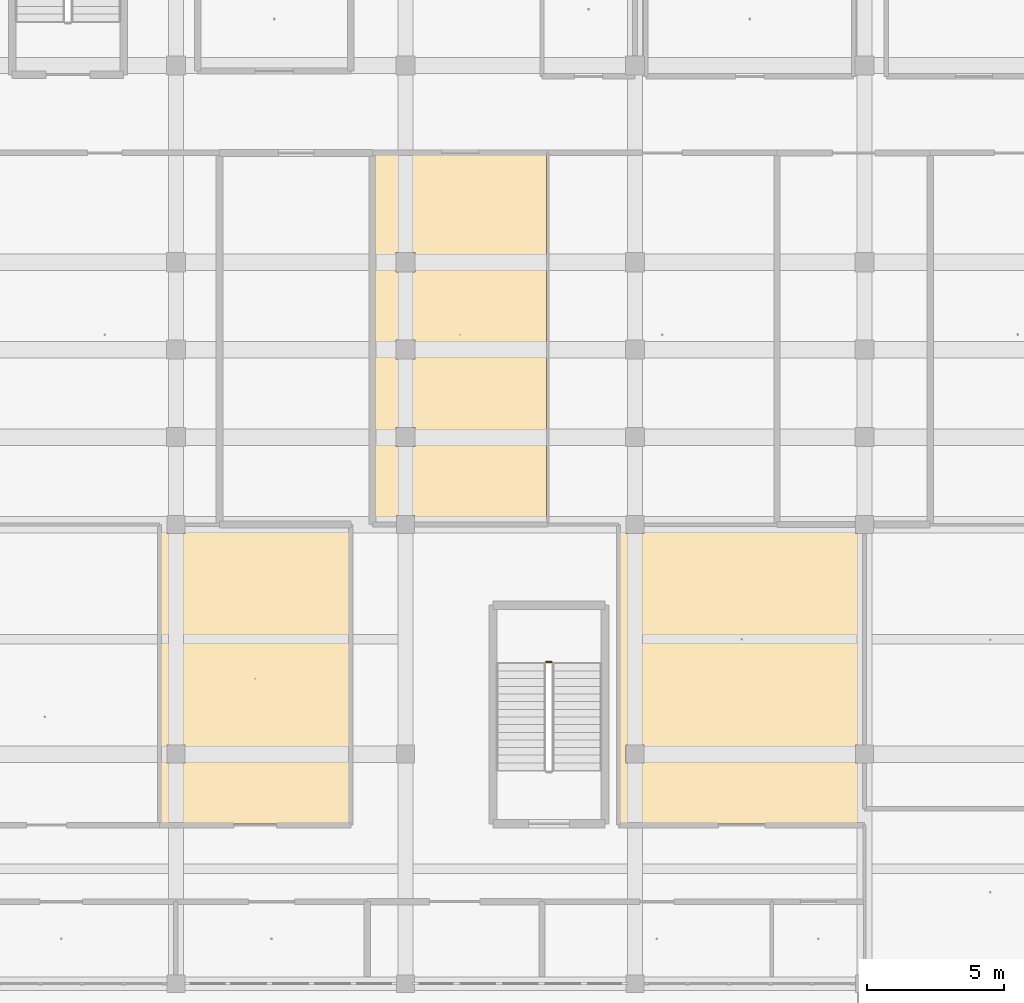
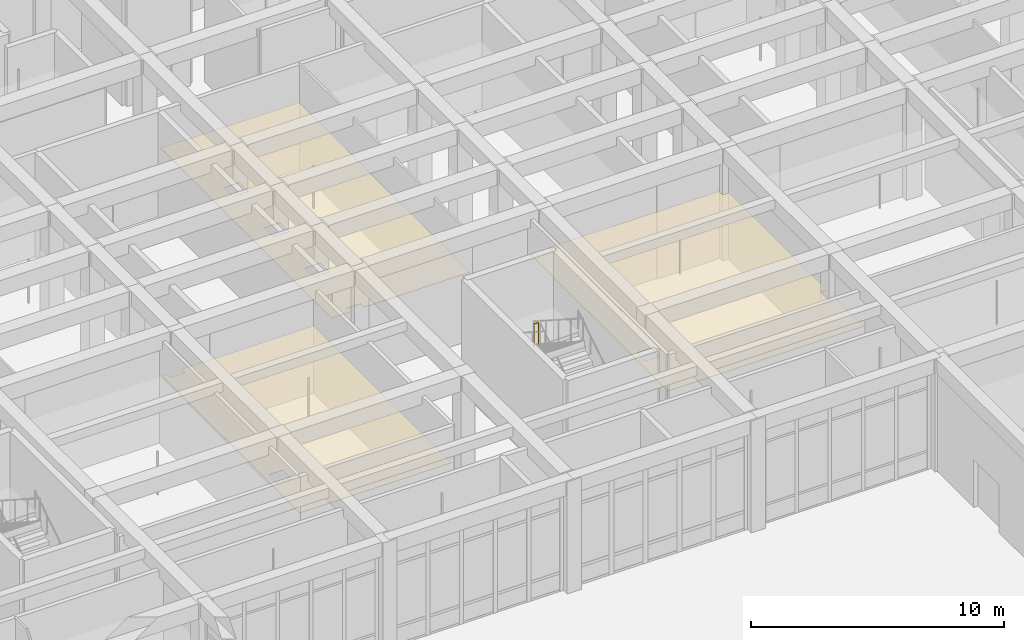
# One storey, part 165 of 167: 3 coverings, 1 railing.
"""IFC4 building model written with IfcOpenShell, lengths in metres."""

import ifcopenshell
import ifcopenshell.guid

model = None  # the IFC model being written
_history = None  # IfcOwnerHistory: only IFC2X3 demands one
_inside = {}  # id of a spatial element -> (the spatial element, [elements in it])
_under = {}  # id of a project, library or spatial element -> (it, [spatial elements below it])
_declared = {}  # id of a project -> (the project, [libraries it declares])
_typed = {}  # id of a type object -> (the type object, [elements of that type])
_made_of = {}  # id of a material, layer set ... -> (it, [elements and type objects made of it])


def new_model(schema):
    """Start an empty IFC model of exactly this schema.

    Asked for "IFC4X3", IfcOpenShell would pick the latest addendum, in which some entities
    have other attributes; the version numbers below select the first issue.
    IFC2X3 requires an IfcOwnerHistory on every rooted entity: one is made here for all.
    """
    global model, _history
    if schema == "IFC4X3":
        model = ifcopenshell.file(schema_version=(4, 3, 0, 0))
    else:
        model = ifcopenshell.file(schema=schema)
    _inside.clear()
    _under.clear()
    _declared.clear()
    _typed.clear()
    _made_of.clear()
    _history = None
    if model.schema == "IFC2X3":
        org = make("IfcOrganization", Name="unknown")
        user = make(
            "IfcPersonAndOrganization",
            ThePerson=make("IfcPerson", FamilyName="unknown"),
            TheOrganization=org,
        )
        app = make(
            "IfcApplication",
            ApplicationDeveloper=org,
            Version="unknown",
            ApplicationFullName="unknown",
            ApplicationIdentifier="unknown",
        )
        _history = make(
            "IfcOwnerHistory",
            OwningUser=user,
            OwningApplication=app,
            ChangeAction="ADDED",
            CreationDate=0,
        )
    return model


def make(cls, **values):
    """One entity of the class cls with the attributes given. An attribute that is None is left unset."""
    return model.create_entity(
        cls, **{name: value for name, value in values.items() if value is not None}
    )


def rooted(cls, **values):
    """An entity with a GlobalId (a new one), such as an element, a storey or a relation."""
    return make(cls, GlobalId=ifcopenshell.guid.new(), OwnerHistory=_history, **values)


def si_unit(unit_type, name, prefix=None):
    """IfcSIUnit, for example si_unit("LENGTHUNIT", "METRE", prefix="MILLI")."""
    return make("IfcSIUnit", UnitType=unit_type, Prefix=prefix, Name=name)


def assignment(units):
    """IfcUnitAssignment: the units of a project."""
    return None if units is None else make("IfcUnitAssignment", Units=units)


def point(xyz):
    """IfcCartesianPoint."""
    return None if xyz is None else make("IfcCartesianPoint", Coordinates=xyz)


def direction(xyz):
    """IfcDirection."""
    return None if xyz is None else make("IfcDirection", DirectionRatios=xyz)


def frame(location, z_axis=None, x_axis=None):
    """IfcAxis2Placement3D, a coordinate frame: its origin and axes. An axis left out is left unset."""
    return make(
        "IfcAxis2Placement3D",
        Location=point(location),
        Axis=direction(z_axis),
        RefDirection=direction(x_axis),
    )


def frame_2d(location, x_axis=None):
    """IfcAxis2Placement2D, a coordinate frame in the plane: its origin and x axis."""
    return make(
        "IfcAxis2Placement2D", Location=point(location), RefDirection=direction(x_axis)
    )


def origin():
    """The frame at (0, 0, 0) with its axes left unset."""
    return frame((0.0, 0.0, 0.0))


def origin_2d():
    """The frame at (0, 0) in the plane with its x axis left unset."""
    return frame_2d((0.0, 0.0))


def place(relative_to, where):
    """IfcLocalPlacement: puts the frame where relative to a parent placement (None: the world)."""
    return make(
        "IfcLocalPlacement", PlacementRelTo=relative_to, RelativePlacement=where
    )


def context(
    kind, dimensions, precision=None, world=None, true_north=None, identifier=None
):
    """IfcGeometricRepresentationContext, for example the 3D "Model" context."""
    return make(
        "IfcGeometricRepresentationContext",
        ContextIdentifier=identifier,
        ContextType=kind,
        CoordinateSpaceDimension=dimensions,
        Precision=precision,
        WorldCoordinateSystem=world,
        TrueNorth=true_north,
    )


def subcontext(parent, identifier, kind, view, scale=None):
    """IfcGeometricRepresentationSubContext, for example "Body" below "Model"."""
    return make(
        "IfcGeometricRepresentationSubContext",
        ContextIdentifier=identifier,
        ContextType=kind,
        ParentContext=parent,
        TargetScale=scale,
        TargetView=view,
    )


def project(units=None, contexts=None):
    """IfcProject with its units and contexts."""
    return rooted(
        "IfcProject",
        Name="project",
        RepresentationContexts=contexts,
        UnitsInContext=assignment(units),
    )


def spatial(cls, under=None, at=None, **own):
    """A site, building, storey or space (cls), placed at a placement, below another one or the project."""
    s = rooted(cls, ObjectPlacement=at, **own)
    if under is not None:
        _under.setdefault(under.id(), (under, []))[1].append(s)
    return s


def polyline(points):
    """IfcPolyline through the points."""
    return make("IfcPolyline", Points=[point(p) for p in points])


def profile(cls, at=None, kind="AREA", **sizes):
    """A parametric profile (cls). Its sizes go by their IFC names, for example OverallWidth=200.0."""
    return make(cls, ProfileType=kind, Position=at, **sizes)


def circle(**sizes):
    """IfcCircleProfileDef."""
    return profile("IfcCircleProfileDef", **sizes)


def outline(outer, holes=None, kind="AREA"):
    """IfcArbitraryClosedProfileDef: a profile drawn as a closed curve; with holes, ...WithVoids."""
    if holes is None:
        return make("IfcArbitraryClosedProfileDef", ProfileType=kind, OuterCurve=outer)
    return make(
        "IfcArbitraryProfileDefWithVoids",
        ProfileType=kind,
        OuterCurve=outer,
        InnerCurves=holes,
    )


def extrude(swept, where, along, depth):
    """IfcExtrudedAreaSolid: the profile swept, set in the frame where, extruded along a direction by depth."""
    return make(
        "IfcExtrudedAreaSolid",
        SweptArea=swept,
        Position=where,
        ExtrudedDirection=direction(along),
        Depth=depth,
    )


def shape(context_of_items, identifier, shape_type, items):
    """IfcShapeRepresentation: the items that make up one representation, for example the "Body"."""
    return make(
        "IfcShapeRepresentation",
        ContextOfItems=context_of_items,
        RepresentationIdentifier=identifier,
        RepresentationType=shape_type,
        Items=items,
    )


def material(Name=None, Category=None):
    """IfcMaterial."""
    return make("IfcMaterial", Name=Name, Category=Category)


def layer(
    of_material, thickness, ventilated=None, Name=None, Category=None, Priority=None
):
    """IfcMaterialLayer: one layer of a wall or slab, of a material (None: an air gap)."""
    return make(
        "IfcMaterialLayer",
        Material=of_material,
        LayerThickness=thickness,
        IsVentilated=ventilated,
        Name=Name,
        Category=Category,
        Priority=Priority,
    )


def layer_set(layers, Name=None):
    """IfcMaterialLayerSet."""
    return make("IfcMaterialLayerSet", MaterialLayers=layers, LayerSetName=Name)


def made_of(thing, what):
    """Note that an element or type object is made of a material, layer set ...; save() writes the relation."""
    if what is not None:
        _made_of.setdefault(what.id(), (what, []))[1].append(thing)
    return thing


def type_object(cls, material=None, **own):
    """A type object (cls), such as IfcWallType, which elements share."""
    return made_of(rooted(cls, **own), material)


def element(
    cls,
    number,
    at=None,
    inside=None,
    cuts=None,
    type_object=None,
    material=None,
    context=None,
    identifier="Body",
    shape_type=None,
    held_by="IfcProductDefinitionShape",
    body=None,
    shapes=None,
    **own,
):
    """One element of the class cls, such as IfcWall. Its Tag is "e" and its number.

    at: its placement. inside: the storey or other place that contains it. cuts: it is an
    opening in that element (IfcRelVoidsElement). A single representation is given by context,
    identifier, shape_type and body (its items); several are given by shapes. held_by: the class
    of the entity that holds the representations. save() writes the other relations.
    """
    e = rooted(cls, Tag="e%d" % number, ObjectPlacement=at, **own)
    if body is not None:
        shapes = [shape(context, identifier, shape_type, body)]
    if shapes is not None:
        e.Representation = make(held_by, Representations=shapes)
    if inside is not None:
        _inside.setdefault(inside.id(), (inside, []))[1].append(e)
    if cuts is not None:
        rooted(
            "IfcRelVoidsElement", RelatingBuildingElement=cuts, RelatedOpeningElement=e
        )
    if type_object is not None:
        _typed.setdefault(type_object.id(), (type_object, []))[1].append(e)
    return made_of(e, material)


def aggregate(whole, parts):
    """IfcRelAggregates: a whole, such as a stair, and the parts it consists of."""
    return rooted("IfcRelAggregates", RelatingObject=whole, RelatedObjects=parts)


def save(model, path):
    """Write the relations noted so far, then the file.

    IfcRelAggregates (storeys below a building ...), IfcRelContainedInSpatialStructure (elements
    in a storey), IfcRelDefinesByType, IfcRelAssociatesMaterial and IfcRelDeclares: one each for
    every whole, place, type object, material and project.
    """
    for whole, parts in _under.values():
        aggregate(whole, parts)
    for where, things in _inside.values():
        rooted(
            "IfcRelContainedInSpatialStructure",
            RelatedElements=things,
            RelatingStructure=where,
        )
    for kind, things in _typed.values():
        rooted("IfcRelDefinesByType", RelatedObjects=things, RelatingType=kind)
    for what, things in _made_of.values():
        rooted("IfcRelAssociatesMaterial", RelatedObjects=things, RelatingMaterial=what)
    for by, libraries in _declared.values():
        rooted("IfcRelDeclares", RelatingContext=by, RelatedDefinitions=libraries)
    model.write(path)


model = new_model("IFC4")

# Units and contexts
model_context = context("Model", 3, precision=1e-05, world=origin(), true_north=direction((0.0, 1.0)))
body_context = subcontext(model_context, "Body", "Model", "MODEL_VIEW")
ifc_project = project(units=[si_unit("LENGTHUNIT", "METRE"), si_unit("AREAUNIT", "SQUARE_METRE"), si_unit("VOLUMEUNIT", "CUBIC_METRE"), si_unit("PLANEANGLEUNIT", "RADIAN"), si_unit("MASSUNIT", "GRAM", prefix="KILO")], contexts=[model_context])

# Site, building, storey
site_placement = place(None, origin())
site = spatial("IfcSite", under=ifc_project, at=site_placement, CompositionType="ELEMENT")
building_placement = place(site_placement, origin())
building = spatial("IfcBuilding", under=site, at=building_placement, Name="Varncliffe General Hospital", CompositionType="ELEMENT")
storey_placement = place(building_placement, origin())
storey = spatial("IfcBuildingStorey", under=building, at=storey_placement, Name="L00", CompositionType="ELEMENT", Elevation=0.0)

# Coverings
ifc_material_1 = material(Name="Hygienic antimicrobial acoustic suspended ceiling tile", Category="gypsum")
ifc_layer = layer(ifc_material_1, 0.02490234375)
ifc_layer_set = layer_set([ifc_layer], Name="Hygienic antimicrobial acoustic suspended ceiling tile")
covering_type = type_object("IfcCoveringType", Name="Antimicrobial Acoustic Suspended Ceiling CLG44", PredefinedType="CEILING", material=ifc_layer_set)
covering_1_placement = place(storey_placement, frame((0.0, 0.0, 3.175048828125)))
element("IfcCovering", 1, at=covering_1_placement, inside=storey, type_object=covering_type, Name="L00 Sterile Dispatch and Surgical Prep Room 86 Suspended Ceiling", PredefinedType="CEILING", context=body_context, shape_type="SweptSolid", body=[
    extrude(outline(polyline([(132.360107421875, 99.56005859375), (132.360107421875, 88.639892578125), (125.43994140625, 88.639892578125), (125.43994140625, 99.56005859375), (125.675048828125, 99.56005859375), (125.675048828125, 99.27490234375), (126.324951171875, 99.27490234375), (126.324951171875, 99.56005859375), (132.360107421875, 99.56005859375)]), holes=[polyline([(126.324951171875, 90.875), (126.324951171875, 91.52490234375), (125.675048828125, 91.52490234375), (125.675048828125, 90.875), (126.324951171875, 90.875)])]), origin(), (0.0, 0.0, 1.0), 0.02490234375),
])
covering_2_placement = place(storey_placement, frame((0.0, 0.0, 3.175048828125)))
element("IfcCovering", 2, at=covering_2_placement, inside=storey, type_object=covering_type, Name="L00 Diagnostic Fluoroscopy and X-Ray Suite 87 Suspended Ceiling", PredefinedType="CEILING", context=body_context, shape_type="SweptSolid", body=[
    extrude(outline(polyline([(150.875, 91.52490234375), (150.875, 90.875), (151.159912109375, 90.875), (151.159912109375, 88.639892578125), (142.239990234375, 88.639892578125), (142.239990234375, 99.56005859375), (142.47509765625, 99.56005859375), (142.47509765625, 99.27490234375), (143.125, 99.27490234375), (143.125, 99.56005859375), (150.875, 99.56005859375), (150.875, 99.27490234375), (151.159912109375, 99.27490234375), (151.159912109375, 91.52490234375), (150.875, 91.52490234375)]), holes=[polyline([(143.125, 90.875), (143.125, 91.52490234375), (142.47509765625, 91.52490234375), (142.47509765625, 90.875), (143.125, 90.875)])]), origin(), (0.0, 0.0, 1.0), 0.02490234375),
])
covering_3_placement = place(storey_placement, frame((0.0, 0.0, 3.175048828125)))
element("IfcCovering", 3, at=covering_3_placement, inside=storey, type_object=covering_type, Name="L00 Outpatient Phlebotomy and Pre-Admission Clinic 125 Suspended Ceiling", PredefinedType="CEILING", context=body_context, shape_type="SweptSolid", body=[
    extrude(outline(polyline([(133.239990234375, 99.639892578125), (133.239990234375, 113.159912109375), (139.56005859375, 113.159912109375), (139.56005859375, 99.639892578125), (134.72509765625, 99.639892578125), (134.72509765625, 99.925048828125), (134.074951171875, 99.925048828125), (134.074951171875, 99.639892578125), (133.239990234375, 99.639892578125)]), holes=[polyline([(134.75, 102.449951171875), (134.75, 103.14990234375), (134.050048828125, 103.14990234375), (134.050048828125, 102.449951171875), (134.75, 102.449951171875)]), polyline([(134.75, 105.64990234375), (134.75, 106.35009765625), (134.050048828125, 106.35009765625), (134.050048828125, 105.64990234375), (134.75, 105.64990234375)]), polyline([(134.75, 108.85009765625), (134.75, 109.550048828125), (134.050048828125, 109.550048828125), (134.050048828125, 108.85009765625), (134.75, 108.85009765625)])]), origin(), (0.0, 0.0, 1.0), 0.02490234375),
])

# Railing
ifc_material_2 = material(Name="Powder-coated hospital steel guardrail and handrail", Category="steel")
railing_type = type_object("IfcRailingType", Name="Stairwell Guardrail SG49", PredefinedType="GUARDRAIL", material=ifc_material_2)
railing_placement = place(storey_placement, frame((139.75, 94.570068359375, 2.699951171875)))
element("IfcRailing", 4, at=railing_placement, inside=storey, type_object=railing_type, Name="L00 ST14 stair guard 2", PredefinedType="GUARDRAIL", context=body_context, shape_type="SweptSolid", body=[
    extrude(circle(Radius=0.02392578125, at=origin_2d()), frame((0.0, 0.0, 1.076171875), z_axis=(-1.0, 0.0, 0.0), x_axis=(0.0, -1.0, 0.0)), (0.0, 0.0, 1.0), 0.199951171875),
    extrude(circle(Radius=0.02099609375, at=origin_2d()), origin(), (0.0, 0.0, 1.0), 1.052001953125),
    extrude(circle(Radius=0.02099609375, at=origin_2d()), frame((-0.199951171875, 0.0, 0.0)), (0.0, 0.0, 1.0), 1.052001953125),
])

save(model, "model.ifc")
